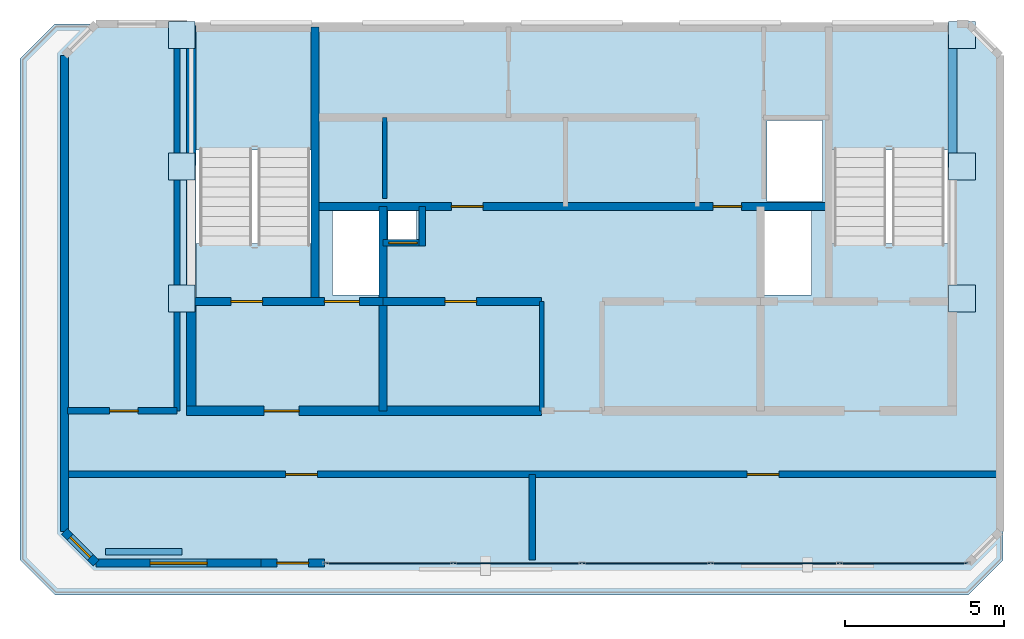
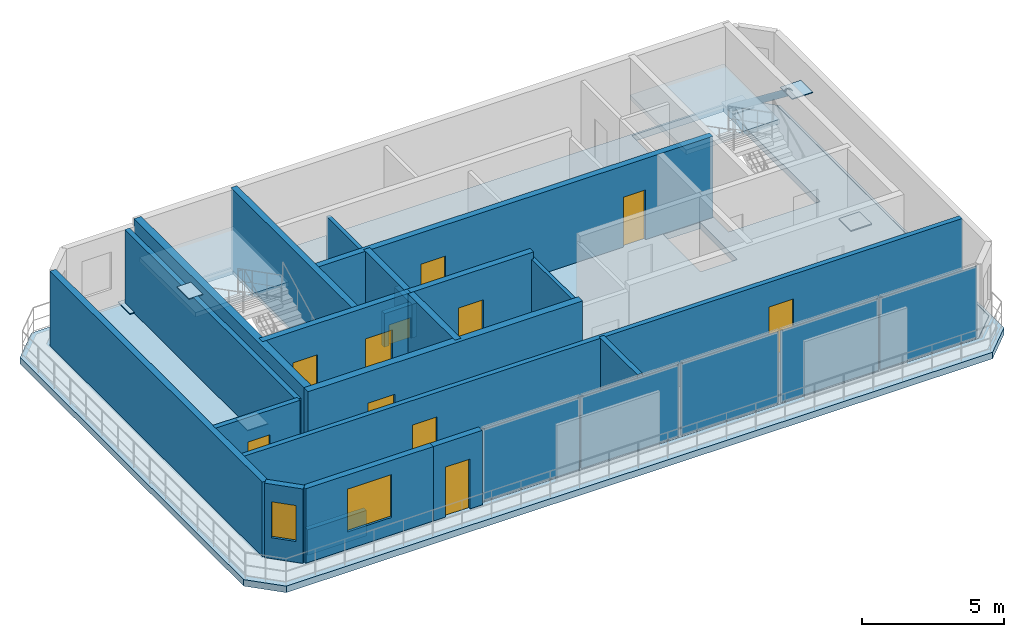
# One storey, part 4 of 6: 20 walls, 11 doors, 11 plates, 4 slabs, 2 windows, 1 member, 13 openings, 3 elements without a shape of their own.
"""IFC4 building model written with IfcOpenShell, lengths in metres."""

from ifc_helpers import new_model, si_unit, direction, frame, frame_2d, origin, origin_2d, place, context, subcontext, project, spatial, polyline, rectangle, hollow_circle, outline, extrude, material, layer, layer_set, material_profile, profile_set, type_object, element, fill, aggregate, save


model = new_model("IFC4")

# Units and contexts
model_context = context("Model", 3, precision=1e-05, world=origin(), true_north=direction((0.0, 1.0)))
body_context = subcontext(model_context, "Body", "Model", "MODEL_VIEW")
ifc_project = project(units=[si_unit("LENGTHUNIT", "METRE"), si_unit("AREAUNIT", "SQUARE_METRE"), si_unit("VOLUMEUNIT", "CUBIC_METRE"), si_unit("PLANEANGLEUNIT", "RADIAN"), si_unit("MASSUNIT", "GRAM", prefix="KILO")], contexts=[model_context])

# Site, building, storey
site_placement = place(None, origin())
site = spatial("IfcSite", under=ifc_project, at=site_placement, CompositionType="ELEMENT")
building_placement = place(site_placement, origin())
building = spatial("IfcBuilding", under=site, at=building_placement, Name="Catumbela Crestline Tower", CompositionType="ELEMENT")
storey_placement = place(building_placement, frame((0.0, 0.0, 304.5)))
storey = spatial("IfcBuildingStorey", under=building, at=storey_placement, Name="L78", CompositionType="ELEMENT", Elevation=304.5)

# Member
ifc_material_1 = material(Name="Structural steel S355J2", Category="steel")
ifc_material_profile = material_profile(ifc_material_1, hollow_circle(Radius=0.1365, WallThickness=0.016, at=origin_2d()), Name="CHS 273x16")
ifc_profile_set = profile_set([ifc_material_profile], Name="Structural steel S355J2")
member_type = type_object("IfcMemberType", Name="CB-273", PredefinedType="BRACE", material=ifc_profile_set)
member_placement = place(storey_placement, frame((40.0, 38.5, 3.21), z_axis=(0.0, 0.791914074685, -0.610632539516), x_axis=(-1.0, 0.0, 0.0)))
element("IfcMember", 1, at=member_placement, inside=storey, type_object=member_type, Name="L78 Crown Wind Frame Brace 4", PredefinedType="BRACE", context=body_context, shape_type="SweptSolid", body=[
    extrude(hollow_circle(Radius=0.1365, WallThickness=0.016, at=origin_2d()), origin(), (0.0, 0.0, 1.0), 5.2405),
])

# Plates
ifc_material_2 = material(Name="Structural steel S460M", Category="steel")
ifc_layer_1 = layer(ifc_material_2, 0.04, Name="Structural steel S460M")
ifc_layer_set_1 = layer_set([ifc_layer_1], Name="Structural steel S460M")
plate_type_1 = type_object("IfcPlateType", Name="GP-40", PredefinedType="USERDEFINED", material=ifc_layer_set_1)
for number, where, z_axis, x_axis, name in (
    (2, (15.7, 34.35, 0.01), (0.0, 0.0, 1.0), (1.0, 0.0, 0.0), "L78 Crown Wind Frame Gusset Plate 1A"),
    (3, (15.7, 38.5, 3.17), (0.0, 0.0, 1.0), (1.0, 0.0, 0.0), "L78 Crown Wind Frame Gusset Plate 1B"),
    (4, (15.7, 42.65, 0.01), (0.0, 0.0, 1.0), (1.0, 0.0, 0.0), "L78 Crown Wind Frame Gusset Plate 2B"),
    (5, (40.3, 34.35, 0.01), (0.0, 0.0, 1.0), (1.0, 0.0, 0.0), "L78 Crown Wind Frame Gusset Plate 3A"),
    (6, (40.3, 38.5, 3.17), (0.0, 0.0, 1.0), (1.0, 0.0, 0.0), "L78 Crown Wind Frame Gusset Plate 3B"),
    (7, (40.3, 42.65, 0.01), (0.0, 0.0, 1.0), (1.0, 0.0, 0.0), "L78 Crown Wind Frame Gusset Plate 4B"),
):
    element("IfcPlate", number, at=place(storey_placement, frame(where, z_axis=z_axis, x_axis=x_axis)), inside=storey, type_object=plate_type_1, Name=name, ObjectType="GUSSET", PredefinedType="USERDEFINED", context=body_context, shape_type="SweptSolid", body=[
        extrude(rectangle(XDim=0.85, YDim=0.85, at=origin_2d()), origin(), (0.0, 0.0, 1.0), 0.04),
    ])

# Curtain wall, plates
ifc_material_3 = material(Name="Aluminium alloy AW-6060-T66", Category="aluminium")
ifc_layer_2 = layer(ifc_material_3, 0.18, Name="Aluminium alloy AW-6060-T66")
ifc_layer_set_2 = layer_set([ifc_layer_2], Name="Aluminium alloy AW-6060-T66")
curtain_wall_type = type_object("IfcCurtainWallType", Name="CWS-OBS", PredefinedType="USERDEFINED", material=ifc_layer_set_2)
curtain_wall_placement = place(storey_placement, origin())
curtain_wall = element("IfcCurtainWall", 8, at=curtain_wall_placement, inside=storey, type_object=curtain_wall_type, Name="L78 Stick Curtain Wall CW-L78-E0S2", ObjectType="STICK", PredefinedType="USERDEFINED")
ifc_material_4 = material(Name="Low-E laminated solar-control double glazing", Category="glass")
ifc_layer_3 = layer(ifc_material_4, 0.036, Name="Low-E laminated solar-control double glazing")
ifc_layer_set_3 = layer_set([ifc_layer_3], Name="Low-E laminated solar-control double glazing")
plate_type_2 = type_object("IfcPlateType", Name="PNL-GLZ-OB", PredefinedType="CURTAIN_PANEL", material=ifc_layer_set_3)
plate_1_placement = place(storey_placement, frame((22.2462, 26.0, 0.06), z_axis=(0.0, 0.0, 1.0), x_axis=(1.0, 0.0, 0.0)))
plate_1 = element("IfcPlate", 9, at=plate_1_placement, type_object=plate_type_2, Name="CWS-OBS panel 1.1", PredefinedType="CURTAIN_PANEL", context=body_context, shape_type="SweptSolid", body=[
    extrude(rectangle(XDim=3.9625, YDim=0.034, at=origin_2d()), origin(), (0.0, 0.0, 1.0), 3.09),
])
plate_2_placement = place(storey_placement, frame((26.29, 26.0, 0.06), z_axis=(0.0, 0.0, 1.0), x_axis=(1.0, 0.0, 0.0)))
plate_2 = element("IfcPlate", 10, at=plate_2_placement, type_object=plate_type_2, Name="CWS-OBS panel 2.1", PredefinedType="CURTAIN_PANEL", context=body_context, shape_type="SweptSolid", body=[
    extrude(rectangle(XDim=3.995, YDim=0.034, at=origin_2d()), origin(), (0.0, 0.0, 1.0), 3.09),
])
plate_3_placement = place(storey_placement, frame((30.35, 26.0, 0.06), z_axis=(0.0, 0.0, 1.0), x_axis=(1.0, 0.0, 0.0)))
plate_3 = element("IfcPlate", 11, at=plate_3_placement, type_object=plate_type_2, Name="CWS-OBS panel 3.1", PredefinedType="CURTAIN_PANEL", context=body_context, shape_type="SweptSolid", body=[
    extrude(rectangle(XDim=3.995, YDim=0.034, at=origin_2d()), origin(), (0.0, 0.0, 1.0), 3.09),
])
plate_4_placement = place(storey_placement, frame((34.41, 26.0, 0.06), z_axis=(0.0, 0.0, 1.0), x_axis=(1.0, 0.0, 0.0)))
plate_4 = element("IfcPlate", 12, at=plate_4_placement, type_object=plate_type_2, Name="CWS-OBS panel 4.1", PredefinedType="CURTAIN_PANEL", context=body_context, shape_type="SweptSolid", body=[
    extrude(rectangle(XDim=3.995, YDim=0.034, at=origin_2d()), origin(), (0.0, 0.0, 1.0), 3.09),
])
plate_5_placement = place(storey_placement, frame((38.4538, 26.0, 0.06), z_axis=(0.0, 0.0, 1.0), x_axis=(1.0, 0.0, 0.0)))
plate_5 = element("IfcPlate", 13, at=plate_5_placement, type_object=plate_type_2, Name="CWS-OBS panel 5.1", PredefinedType="CURTAIN_PANEL", context=body_context, shape_type="SweptSolid", body=[
    extrude(rectangle(XDim=3.9625, YDim=0.034, at=origin_2d()), origin(), (0.0, 0.0, 1.0), 3.09),
])
aggregate(curtain_wall, [plate_1, plate_2, plate_3, plate_4, plate_5])

# Slabs
ifc_material_5 = material(Name="Concrete C45/55", Category="concrete")
ifc_layer_4 = layer(ifc_material_5, 0.28, Name="Concrete C45/55")
ifc_layer_set_4 = layer_set([ifc_layer_4], Name="Concrete C45/55")
slab_type_1 = type_object("IfcSlabType", Name="SL-280C", PredefinedType="FLOOR", material=ifc_layer_set_4)
slab_1_placement = place(storey_placement, frame((0.0, 0.0, -0.28)))
element("IfcSlab", 14, at=slab_1_placement, inside=storey, type_object=slab_type_1, Name="L78 Structural Floor Slab", PredefinedType="FLOOR", context=body_context, shape_type="SweptSolid", body=[
    extrude(outline(polyline([(13.0, 26.0), (40.5, 26.0), (41.5, 27.0), (41.5, 42.0), (40.5, 43.0), (13.0, 43.0), (12.0, 42.0), (12.0, 27.0), (13.0, 26.0)]), holes=[polyline([(16.13, 36.08), (19.87, 36.08), (19.87, 42.92), (16.13, 42.92), (16.13, 36.08)]), polyline([(36.13, 36.08), (39.87, 36.08), (39.87, 42.92), (36.13, 42.92), (36.13, 36.08)]), polyline([(20.45, 34.45), (21.95, 34.45), (21.95, 37.1), (20.45, 37.1), (20.45, 34.45)]), polyline([(34.05, 34.45), (35.55, 34.45), (35.55, 37.1), (34.05, 37.1), (34.05, 34.45)]), polyline([(34.15, 37.4), (35.9, 37.4), (35.9, 39.95), (34.15, 39.95), (34.15, 37.4)]), polyline([(22.2, 36.2), (23.1, 36.2), (23.1, 37.1), (22.2, 37.1), (22.2, 36.2)])]), origin(), (0.0, 0.0, 1.0), 0.28),
])
ifc_layer_5 = layer(ifc_material_5, 0.28, Name="Concrete C45/55")
ifc_layer_set_5 = layer_set([ifc_layer_5], Name="Concrete C45/55")
slab_type_2 = type_object("IfcSlabType", Name="SR-280C", PredefinedType="ROOF", material=ifc_layer_set_5)
slab_2_placement = place(storey_placement, frame((0.0, 0.0, -0.28)))
element("IfcSlab", 15, at=slab_2_placement, inside=storey, type_object=slab_type_2, Name="L78 Stepped Terrace Cap Roof Slab 1", PredefinedType="ROOF", context=body_context, shape_type="SweptSolid", body=[
    extrude(outline(polyline([(41.6, 26.1), (40.5, 25.0), (11.7, 25.0), (10.6, 26.1), (10.6, 41.9), (11.7, 43.0), (12.9859, 43.0), (11.99, 42.0041), (11.99, 26.9959), (12.9959, 25.99), (40.5041, 25.99), (41.51, 26.9959), (41.51, 41.99), (41.6, 41.9), (41.6, 26.1)])), origin(), (0.0, 0.0, 1.0), 0.28),
])

# Stair, slab
stair_type = type_object("IfcStairType", Name="ST-DLG", PredefinedType="HALF_TURN_STAIR", material=ifc_material_5)
stair_1_placement = place(storey_placement, origin())
stair_1 = element("IfcStair", 16, at=stair_1_placement, inside=storey, type_object=stair_type, Name="L78 West Core Pressurised Exit Stair ST-01", PredefinedType="HALF_TURN_STAIR")
ifc_layer_6 = layer(ifc_material_5, 0.2, Name="Concrete C45/55")
ifc_layer_set_6 = layer_set([ifc_layer_6], Name="Concrete C45/55")
slab_type_3 = type_object("IfcSlabType", Name="SL-LND", PredefinedType="LANDING", material=ifc_layer_set_6)
slab_3_placement = place(storey_placement, frame((0.0, 0.0, 1.55)))
slab_3 = element("IfcSlab", 17, at=slab_3_placement, type_object=slab_type_3, Name="ST-01 landing 1", PredefinedType="LANDING", context=body_context, shape_type="SweptSolid", body=[
    extrude(outline(polyline([(19.91, 39.02), (19.91, 42.96), (16.09, 42.96), (16.09, 39.02), (19.91, 39.02)])), origin(), (0.0, 0.0, 1.0), 0.2),
])
aggregate(stair_1, [slab_3])

stair_2_placement = place(storey_placement, origin())
stair_2 = element("IfcStair", 18, at=stair_2_placement, inside=storey, type_object=stair_type, Name="L78 East Core Pressurised Exit Stair ST-02", PredefinedType="HALF_TURN_STAIR")
slab_4_placement = place(storey_placement, frame((0.0, 0.0, 1.55)))
slab_4 = element("IfcSlab", 19, at=slab_4_placement, type_object=slab_type_3, Name="ST-02 landing 1", PredefinedType="LANDING", context=body_context, shape_type="SweptSolid", body=[
    extrude(outline(polyline([(39.91, 39.02), (39.91, 42.96), (36.09, 42.96), (36.09, 39.02), (39.91, 39.02)])), origin(), (0.0, 0.0, 1.0), 0.2),
])
aggregate(stair_2, [slab_4])

# Walls
ifc_material_6 = material(Name="Concrete C50/60", Category="concrete")
ifc_layer_7 = layer(ifc_material_6, 0.25, Name="Concrete C50/60")
ifc_layer_set_7 = layer_set([ifc_layer_7], Name="Concrete C50/60")
wall_type_1 = type_object("IfcWallType", Name="CW-250D", PredefinedType="SHEAR", material=ifc_layer_set_7)
wall_1_placement = place(storey_placement, frame((19.9, 34.25, 0.0), z_axis=(0.0, 0.0, 1.0), x_axis=(0.0, 1.0, 0.0)))
element("IfcWall", 20, at=wall_1_placement, inside=storey, type_object=wall_type_1, Name="L78 Structural Core Shear Wall WWEB", PredefinedType="SHEAR", context=body_context, shape_type="SweptSolid", body=[
    extrude(rectangle(XDim=8.65, YDim=0.25, at=frame_2d((4.325, 0.0))), origin(), (0.0, 0.0, 1.0), 3.5),
])
wall_2_placement = place(storey_placement, frame((22.05, 30.8, 0.0), z_axis=(0.0, 0.0, 1.0), x_axis=(0.0, 1.0, 0.0)))
element("IfcWall", 21, at=wall_2_placement, inside=storey, type_object=wall_type_1, Name="L78 Structural Core Shear Wall FFW", PredefinedType="SHEAR", context=body_context, shape_type="SweptSolid", body=[
    extrude(rectangle(XDim=6.45, YDim=0.25, at=frame_2d((3.225, 0.0))), origin(), (0.0, 0.0, 1.0), 3.5),
])

# Wall, openings, doors
wall_3_placement = place(storey_placement, frame((16.0, 34.25, 0.0), z_axis=(0.0, 0.0, 1.0), x_axis=(1.0, 0.0, 0.0)))
wall_3 = element("IfcWall", 22, at=wall_3_placement, inside=storey, type_object=wall_type_1, Name="L78 Structural Core Shear Wall ST1S", PredefinedType="SHEAR", context=body_context, shape_type="SweptSolid", body=[
    extrude(rectangle(XDim=6.05, YDim=0.25, at=frame_2d((3.025, 0.0))), origin(), (0.0, 0.0, 1.0), 3.5),
])
opening_1_placement = place(wall_3_placement, frame((1.25, 0.0, 0.0)))
opening_1 = element("IfcOpeningElement", 23, at=opening_1_placement, cuts=wall_3, Name="Opening DF9-100", PredefinedType="OPENING", context=body_context, shape_type="SweptSolid", body=[
    extrude(rectangle(XDim=1.0, YDim=2.15, at=frame_2d((0.5, 1.075))), frame((0.0, 0.135, 0.0), z_axis=(0.0, -1.0, 0.0), x_axis=(1.0, 0.0, 0.0)), (0.0, 0.0, 1.0), 0.27),
])
opening_2_placement = place(wall_3_placement, frame((4.2, 0.0, 0.0)))
opening_2 = element("IfcOpeningElement", 24, at=opening_2_placement, cuts=wall_3, Name="Opening LD-110", PredefinedType="OPENING", context=body_context, shape_type="SweptSolid", body=[
    extrude(rectangle(XDim=1.1, YDim=2.15, at=frame_2d((0.55, 1.075))), frame((0.0, 0.135, 0.0), z_axis=(0.0, -1.0, 0.0), x_axis=(1.0, 0.0, 0.0)), (0.0, 0.0, 1.0), 0.27),
])
ifc_material_7 = material(Name="Stainless steel EN 1.4401", Category="steel")
door_type_1 = type_object("IfcDoorType", Name="DF9-100", OperationType="NOTDEFINED", PredefinedType="DOOR", material=ifc_material_7)
door_1_placement = place(opening_1_placement, origin())
door_1 = element("IfcDoor", 25, at=door_1_placement, inside=storey, type_object=door_type_1, Name="L78 Interior Door DR-L78-ST01", OperationType="SINGLE_SWING_LEFT", OverallHeight=2.15, OverallWidth=1.0, PredefinedType="DOOR", context=body_context, shape_type="SweptSolid", body=[
    extrude(rectangle(XDim=1.0, YDim=2.15, at=frame_2d((0.5, 1.075))), frame((0.0, 0.025, 0.0), z_axis=(0.0, -1.0, 0.0), x_axis=(1.0, 0.0, 0.0)), (0.0, 0.0, 1.0), 0.05),
])
fill(opening_1, door_1)
door_type_2 = type_object("IfcDoorType", Name="LD-110", OperationType="NOTDEFINED", PredefinedType="DOOR", material=ifc_material_7)
door_2_placement = place(opening_2_placement, origin())
door_2 = element("IfcDoor", 26, at=door_2_placement, inside=storey, type_object=door_type_2, Name="L78 Lift Landing Sliding Door FL-01", OperationType="DOUBLE_DOOR_SLIDING", OverallHeight=2.15, OverallWidth=1.1, PredefinedType="DOOR", context=body_context, shape_type="SweptSolid", body=[
    extrude(rectangle(XDim=1.1, YDim=2.15, at=frame_2d((0.55, 1.075))), frame((0.0, 0.025, 0.0), z_axis=(0.0, -1.0, 0.0), x_axis=(1.0, 0.0, 0.0)), (0.0, 0.0, 1.0), 0.05),
])
fill(opening_2, door_2)

# Wall, opening, door
wall_4_placement = place(storey_placement, frame((22.05, 34.25, 0.0), z_axis=(0.0, 0.0, 1.0), x_axis=(1.0, 0.0, 0.0)))
wall_4 = element("IfcWall", 27, at=wall_4_placement, inside=storey, type_object=wall_type_1, Name="L78 Structural Core Shear Wall LIFTS-W", PredefinedType="SHEAR", context=body_context, shape_type="SweptSolid", body=[
    extrude(rectangle(XDim=5.0, YDim=0.25, at=frame_2d((2.5, 0.0))), origin(), (0.0, 0.0, 1.0), 3.5),
])
opening_3_placement = place(wall_4_placement, frame((1.95, 0.0, 0.0)))
opening_3 = element("IfcOpeningElement", 28, at=opening_3_placement, cuts=wall_4, Name="Opening DF9-100", PredefinedType="OPENING", context=body_context, shape_type="SweptSolid", body=[
    extrude(rectangle(XDim=1.0, YDim=2.15, at=frame_2d((0.5, 1.075))), frame((0.0, 0.135, 0.0), z_axis=(0.0, -1.0, 0.0), x_axis=(1.0, 0.0, 0.0)), (0.0, 0.0, 1.0), 0.27),
])
door_3_placement = place(opening_3_placement, origin())
door_3 = element("IfcDoor", 29, at=door_3_placement, inside=storey, type_object=door_type_1, Name="L78 Interior Door DR-L78-RECL1", OperationType="SINGLE_SWING_LEFT", OverallHeight=2.15, OverallWidth=1.0, PredefinedType="DOOR", context=body_context, shape_type="SweptSolid", body=[
    extrude(rectangle(XDim=1.0, YDim=2.15, at=frame_2d((0.5, 1.075))), frame((0.0, 0.025, 0.0), z_axis=(0.0, -1.0, 0.0), x_axis=(1.0, 0.0, 0.0)), (0.0, 0.0, 1.0), 0.05),
])
fill(opening_3, door_3)

# Wall, openings, doors
wall_5_placement = place(storey_placement, frame((19.9, 37.25, 0.0), z_axis=(0.0, 0.0, 1.0), x_axis=(1.0, 0.0, 0.0)))
wall_5 = element("IfcWall", 30, at=wall_5_placement, inside=storey, type_object=wall_type_1, Name="L78 Structural Core Shear Wall LIFTN", PredefinedType="SHEAR", context=body_context, shape_type="SweptSolid", body=[
    extrude(rectangle(XDim=16.2, YDim=0.25, at=frame_2d((8.1, 0.0))), origin(), (0.0, 0.0, 1.0), 3.5),
])
opening_4_placement = place(wall_5_placement, frame((4.3, 0.0, 0.0)))
opening_4 = element("IfcOpeningElement", 31, at=opening_4_placement, cuts=wall_5, Name="Opening DF9-100", PredefinedType="OPENING", context=body_context, shape_type="SweptSolid", body=[
    extrude(rectangle(XDim=1.0, YDim=2.15, at=frame_2d((0.5, 1.075))), frame((0.0, 0.135, 0.0), z_axis=(0.0, -1.0, 0.0), x_axis=(1.0, 0.0, 0.0)), (0.0, 0.0, 1.0), 0.27),
])
opening_5_placement = place(wall_5_placement, frame((12.55, 0.0, 0.0)))
opening_5 = element("IfcOpeningElement", 32, at=opening_5_placement, cuts=wall_5, Name="Opening DF9-090", PredefinedType="OPENING", context=body_context, shape_type="SweptSolid", body=[
    extrude(rectangle(XDim=0.9, YDim=2.15, at=frame_2d((0.45, 1.075))), frame((0.0, 0.135, 0.0), z_axis=(0.0, -1.0, 0.0), x_axis=(1.0, 0.0, 0.0)), (0.0, 0.0, 1.0), 0.27),
])
door_type_3 = type_object("IfcDoorType", Name="DF9-090", OperationType="NOTDEFINED", PredefinedType="DOOR", material=ifc_material_7)
door_4_placement = place(opening_5_placement, origin())
door_4 = element("IfcDoor", 33, at=door_4_placement, inside=storey, type_object=door_type_3, Name="L78 Interior Door DR-L78-CPAS1", OperationType="SINGLE_SWING_LEFT", OverallHeight=2.15, OverallWidth=0.9, PredefinedType="DOOR", context=body_context, shape_type="SweptSolid", body=[
    extrude(rectangle(XDim=0.9, YDim=2.15, at=frame_2d((0.45, 1.075))), frame((0.0, 0.025, 0.0), z_axis=(0.0, -1.0, 0.0), x_axis=(1.0, 0.0, 0.0)), (0.0, 0.0, 1.0), 0.05),
])
fill(opening_5, door_4)
door_5_placement = place(opening_4_placement, origin())
door_5 = element("IfcDoor", 34, at=door_5_placement, inside=storey, type_object=door_type_1, Name="L78 Interior Door DR-L78-RECL3", OperationType="SINGLE_SWING_LEFT", OverallHeight=2.15, OverallWidth=1.0, PredefinedType="DOOR", context=body_context, shape_type="SweptSolid", body=[
    extrude(rectangle(XDim=1.0, YDim=2.15, at=frame_2d((0.5, 1.075))), frame((0.0, 0.025, 0.0), z_axis=(0.0, -1.0, 0.0), x_axis=(1.0, 0.0, 0.0)), (0.0, 0.0, 1.0), 0.05),
])
fill(opening_4, door_5)

# Wall
ifc_layer_8 = layer(ifc_material_5, 0.3, Name="Concrete C45/55")
ifc_layer_set_8 = layer_set([ifc_layer_8], Name="Concrete C45/55")
wall_type_2 = type_object("IfcWallType", Name="CW-300C", PredefinedType="SHEAR", material=ifc_layer_set_8)
wall_6_placement = place(storey_placement, frame((16.0, 30.65, 0.0), z_axis=(0.0, 0.0, 1.0), x_axis=(0.0, 1.0, 0.0)))
element("IfcWall", 35, at=wall_6_placement, inside=storey, type_object=wall_type_2, Name="L78 Structural Core Shear Wall W", PredefinedType="SHEAR", context=body_context, shape_type="SweptSolid", body=[
    extrude(rectangle(XDim=12.3, YDim=0.3, at=frame_2d((6.15, 0.0))), origin(), (0.0, 0.0, 1.0), 3.5),
])

# Wall, opening, door
wall_7_placement = place(storey_placement, frame((15.85, 30.8, 0.0), z_axis=(0.0, 0.0, 1.0), x_axis=(1.0, 0.0, 0.0)))
wall_7 = element("IfcWall", 36, at=wall_7_placement, inside=storey, type_object=wall_type_2, Name="L78 Structural Core Shear Wall SW", PredefinedType="SHEAR", context=body_context, shape_type="SweptSolid", body=[
    extrude(rectangle(XDim=11.2, YDim=0.3, at=frame_2d((5.6, 0.0))), origin(), (0.0, 0.0, 1.0), 3.5),
])
opening_6_placement = place(wall_7_placement, frame((2.45, 0.0, 0.0)))
opening_6 = element("IfcOpeningElement", 37, at=opening_6_placement, cuts=wall_7, Name="Opening DF9-110", PredefinedType="OPENING", context=body_context, shape_type="SweptSolid", body=[
    extrude(rectangle(XDim=1.1, YDim=2.15, at=frame_2d((0.55, 1.075))), frame((0.0, 0.16, 0.0), z_axis=(0.0, -1.0, 0.0), x_axis=(1.0, 0.0, 0.0)), (0.0, 0.0, 1.0), 0.32),
])
door_type_4 = type_object("IfcDoorType", Name="DF9-110", OperationType="NOTDEFINED", PredefinedType="DOOR", material=ifc_material_7)
door_6_placement = place(opening_6_placement, origin())
door_6 = element("IfcDoor", 38, at=door_6_placement, inside=storey, type_object=door_type_4, Name="L78 Interior Door DR-L78-FFW-S", OperationType="SINGLE_SWING_LEFT", OverallHeight=2.15, OverallWidth=1.1, PredefinedType="DOOR", context=body_context, shape_type="SweptSolid", body=[
    extrude(rectangle(XDim=1.1, YDim=2.15, at=frame_2d((0.55, 1.075))), frame((0.0, 0.025, 0.0), z_axis=(0.0, -1.0, 0.0), x_axis=(1.0, 0.0, 0.0)), (0.0, 0.0, 1.0), 0.05),
])
fill(opening_6, door_6)

# Wall, openings, doors
ifc_material_8 = material(Name="Acoustic gypsum and mineral-wool partition")
ifc_layer_9 = layer(ifc_material_8, 0.2, Name="Acoustic gypsum and mineral-wool partition")
ifc_layer_set_9 = layer_set([ifc_layer_9], Name="Acoustic gypsum and mineral-wool partition")
wall_type_3 = type_object("IfcWallType", Name="WC-200", PredefinedType="PARTITIONING", material=ifc_layer_set_9)
wall_8_placement = place(storey_placement, frame((12.1, 28.8, 0.0), z_axis=(0.0, 0.0, 1.0), x_axis=(1.0, 0.0, 0.0)))
wall_8 = element("IfcWall", 39, at=wall_8_placement, inside=storey, type_object=wall_type_3, Name="L78 Interior Partition PW-L78-CRP1", PredefinedType="PARTITIONING", context=body_context, shape_type="SweptSolid", body=[
    extrude(rectangle(XDim=29.3, YDim=0.2, at=frame_2d((14.65, 0.0))), origin(), (0.0, 0.0, 1.0), 3.21),
])
opening_7_placement = place(wall_8_placement, frame((6.875, 0.0, 0.0)))
opening_7 = element("IfcOpeningElement", 40, at=opening_7_placement, cuts=wall_8, Name="Opening DF9-100", PredefinedType="OPENING", context=body_context, shape_type="SweptSolid", body=[
    extrude(rectangle(XDim=1.0, YDim=2.15, at=frame_2d((0.5, 1.075))), frame((0.0, 0.11, 0.0), z_axis=(0.0, -1.0, 0.0), x_axis=(1.0, 0.0, 0.0)), (0.0, 0.0, 1.0), 0.22),
])
opening_8_placement = place(wall_8_placement, frame((21.425, 0.0, 0.0)))
opening_8 = element("IfcOpeningElement", 41, at=opening_8_placement, cuts=wall_8, Name="Opening DF9-100", PredefinedType="OPENING", context=body_context, shape_type="SweptSolid", body=[
    extrude(rectangle(XDim=1.0, YDim=2.15, at=frame_2d((0.5, 1.075))), frame((0.0, 0.11, 0.0), z_axis=(0.0, -1.0, 0.0), x_axis=(1.0, 0.0, 0.0)), (0.0, 0.0, 1.0), 0.22),
])
door_7_placement = place(opening_7_placement, origin())
door_7 = element("IfcDoor", 42, at=door_7_placement, inside=storey, type_object=door_type_1, Name="L78 Interior Door DR-L78-CRP1", OperationType="SINGLE_SWING_LEFT", OverallHeight=2.15, OverallWidth=1.0, PredefinedType="DOOR", context=body_context, shape_type="SweptSolid", body=[
    extrude(rectangle(XDim=1.0, YDim=2.15, at=frame_2d((0.5, 1.075))), frame((0.0, 0.025, 0.0), z_axis=(0.0, -1.0, 0.0), x_axis=(1.0, 0.0, 0.0)), (0.0, 0.0, 1.0), 0.05),
])
fill(opening_7, door_7)
door_8_placement = place(opening_8_placement, origin())
door_8 = element("IfcDoor", 43, at=door_8_placement, inside=storey, type_object=door_type_1, Name="L78 Interior Door DR-L78-CRP2", OperationType="SINGLE_SWING_RIGHT", OverallHeight=2.15, OverallWidth=1.0, PredefinedType="DOOR", context=body_context, shape_type="SweptSolid", body=[
    extrude(rectangle(XDim=1.0, YDim=2.15, at=frame_2d((0.5, 1.075))), frame((0.0, 0.025, 0.0), z_axis=(0.0, -1.0, 0.0), x_axis=(1.0, 0.0, 0.0)), (0.0, 0.0, 1.0), 0.05),
])
fill(opening_8, door_8)

# Walls
wall_9_placement = place(storey_placement, frame((26.75, 26.1, 0.0), z_axis=(0.0, 0.0, 1.0), x_axis=(0.0, 1.0, 0.0)))
element("IfcWall", 44, at=wall_9_placement, inside=storey, type_object=wall_type_3, Name="L78 Interior Partition PW-L78-CRPM", PredefinedType="PARTITIONING", context=body_context, shape_type="SweptSolid", body=[
    extrude(rectangle(XDim=2.7, YDim=0.2, at=frame_2d((1.35, 0.0))), origin(), (0.0, 0.0, 1.0), 3.21),
])
wall_10_placement = place(storey_placement, frame((15.55, 30.8, 0.0), z_axis=(0.0, 0.0, 1.0), x_axis=(0.0, 1.0, 0.0)))
element("IfcWall", 45, at=wall_10_placement, inside=storey, type_object=wall_type_3, Name="L78 Interior Partition PW-L78-CRNE", PredefinedType="PARTITIONING", context=body_context, shape_type="SweptSolid", body=[
    extrude(rectangle(XDim=12.1, YDim=0.2, at=frame_2d((6.05, 0.0))), origin(), (0.0, 0.0, 1.0), 3.21),
])

# Wall, opening, door
wall_11_placement = place(storey_placement, frame((12.1, 30.8, 0.0), z_axis=(0.0, 0.0, 1.0), x_axis=(1.0, 0.0, 0.0)))
wall_11 = element("IfcWall", 46, at=wall_11_placement, inside=storey, type_object=wall_type_3, Name="L78 Interior Partition PW-L78-CRNW", PredefinedType="PARTITIONING", context=body_context, shape_type="SweptSolid", body=[
    extrude(rectangle(XDim=3.45, YDim=0.2, at=frame_2d((1.725, 0.0))), origin(), (0.0, 0.0, 1.0), 3.21),
])
opening_9_placement = place(wall_11_placement, frame((1.325, 0.0, 0.0)))
opening_9 = element("IfcOpeningElement", 47, at=opening_9_placement, cuts=wall_11, Name="Opening DF9-090", PredefinedType="OPENING", context=body_context, shape_type="SweptSolid", body=[
    extrude(rectangle(XDim=0.9, YDim=2.15, at=frame_2d((0.45, 1.075))), frame((0.0, 0.11, 0.0), z_axis=(0.0, -1.0, 0.0), x_axis=(1.0, 0.0, 0.0)), (0.0, 0.0, 1.0), 0.22),
])
door_9_placement = place(opening_9_placement, origin())
door_9 = element("IfcDoor", 48, at=door_9_placement, inside=storey, type_object=door_type_3, Name="L78 Interior Door DR-L78-CRNW", OperationType="SINGLE_SWING_LEFT", OverallHeight=2.15, OverallWidth=0.9, PredefinedType="DOOR", context=body_context, shape_type="SweptSolid", body=[
    extrude(rectangle(XDim=0.9, YDim=2.15, at=frame_2d((0.45, 1.075))), frame((0.0, 0.025, 0.0), z_axis=(0.0, -1.0, 0.0), x_axis=(1.0, 0.0, 0.0)), (0.0, 0.0, 1.0), 0.05),
])
fill(opening_9, door_9)

ifc_material_9 = material(Name="Angolan grey-ochre granite", Category="masonry")
ifc_layer_10 = layer(ifc_material_9, 0.25, Name="Angolan grey-ochre granite")
ifc_layer_set_10 = layer_set([ifc_layer_10], Name="Angolan grey-ochre granite")
wall_type_4 = type_object("IfcWallType", Name="WE-250", PredefinedType="STANDARD", material=ifc_layer_set_10)
wall_12_placement = place(storey_placement, frame((18.2, 26.0, 0.0), z_axis=(0.0, 0.0, 1.0), x_axis=(1.0, 0.0, 0.0)))
wall_12 = element("IfcWall", 49, at=wall_12_placement, inside=storey, type_object=wall_type_4, Name="L78 Exterior Threshold Portal Wall DR-L78-STEP-S1", PredefinedType="STANDARD", context=body_context, shape_type="SweptSolid", body=[
    extrude(rectangle(XDim=2.0, YDim=0.25, at=frame_2d((1.0, 0.0))), origin(), (0.0, 0.0, 1.0), 3.21),
])
opening_10_placement = place(wall_12_placement, frame((0.5, 0.0, 0.0)))
opening_10 = element("IfcOpeningElement", 50, at=opening_10_placement, cuts=wall_12, Name="Opening DT-L78", PredefinedType="OPENING", context=body_context, shape_type="SweptSolid", body=[
    extrude(rectangle(XDim=1.0, YDim=2.15, at=frame_2d((0.5, 1.075))), frame((0.0, 0.135, 0.0), z_axis=(0.0, -1.0, 0.0), x_axis=(1.0, 0.0, 0.0)), (0.0, 0.0, 1.0), 0.27),
])
door_type_5 = type_object("IfcDoorType", Name="DB-1000", OperationType="NOTDEFINED", PredefinedType="DOOR", material=ifc_material_3)
door_10_placement = place(opening_10_placement, origin())
door_10 = element("IfcDoor", 51, at=door_10_placement, inside=storey, type_object=door_type_5, Name="L78 Stepped Terrace Access Door", OperationType="SINGLE_SWING_LEFT", OverallHeight=2.15, OverallWidth=1.0, PredefinedType="DOOR", context=body_context, shape_type="SweptSolid", body=[
    extrude(rectangle(XDim=1.0, YDim=2.15, at=frame_2d((0.5, 1.075))), frame((0.0, 0.025, 0.0), z_axis=(0.0, -1.0, 0.0), x_axis=(1.0, 0.0, 0.0)), (0.0, 0.0, 1.0), 0.05),
])
fill(opening_10, door_10)

# Wall, opening, window
wall_13_placement = place(storey_placement, frame((13.0, 26.0, 0.0), z_axis=(0.0, 0.0, 1.0), x_axis=(1.0, 0.0, 0.0)))
wall_13 = element("IfcWall", 52, at=wall_13_placement, inside=storey, type_object=wall_type_4, Name="L78 Granite Punched Window Wall 0-1", PredefinedType="STANDARD", context=body_context, shape_type="SweptSolid", body=[
    extrude(rectangle(XDim=5.2, YDim=0.25, at=frame_2d((2.6, 0.0))), origin(), (0.0, 0.0, 1.0), 3.21),
])
opening_11_placement = place(wall_13_placement, frame((1.7, 0.0, 0.75)))
opening_11 = element("IfcOpeningElement", 53, at=opening_11_placement, cuts=wall_13, Name="Opening WN-01", PredefinedType="OPENING", context=body_context, shape_type="SweptSolid", body=[
    extrude(rectangle(XDim=1.8, YDim=1.85, at=frame_2d((0.9, 0.925))), frame((0.0, 0.135, 0.0), z_axis=(0.0, -1.0, 0.0), x_axis=(1.0, 0.0, 0.0)), (0.0, 0.0, 1.0), 0.27),
])
window_type_1 = type_object("IfcWindowType", Name="WF-1800", PartitioningType="SINGLE_PANEL", PredefinedType="WINDOW", material=ifc_material_4)
window_1_placement = place(opening_11_placement, origin())
window_1 = element("IfcWindow", 54, at=window_1_placement, inside=storey, type_object=window_type_1, Name="L78 Facade Vision Window 635", OverallHeight=1.85, OverallWidth=1.8, PartitioningType="SINGLE_PANEL", PredefinedType="WINDOW", context=body_context, shape_type="SweptSolid", body=[
    extrude(rectangle(XDim=1.8, YDim=1.85, at=frame_2d((0.9, 0.925))), frame((0.0, 0.03, 0.0), z_axis=(0.0, -1.0, 0.0), x_axis=(1.0, 0.0, 0.0)), (0.0, 0.0, 1.0), 0.06),
])
fill(opening_11, window_1)

# Wall
wall_14_placement = place(storey_placement, frame((12.0, 42.0, 0.0), z_axis=(0.0, 0.0, 1.0), x_axis=(0.0, -1.0, 0.0)))
element("IfcWall", 55, at=wall_14_placement, inside=storey, type_object=wall_type_4, Name="L78 Granite Punched Window Wall 6-1", PredefinedType="STANDARD", context=body_context, shape_type="SweptSolid", body=[
    extrude(rectangle(XDim=15.0, YDim=0.25, at=frame_2d((7.5, 0.0))), origin(), (0.0, 0.0, 1.0), 3.21),
])

# Wall, opening, window
wall_15_placement = place(storey_placement, frame((12.0, 27.0, 0.0), z_axis=(0.0, 0.0, 1.0), x_axis=(0.707106781187, -0.707106781187, 0.0)))
wall_15 = element("IfcWall", 56, at=wall_15_placement, inside=storey, type_object=wall_type_4, Name="L78 Granite Punched Window Wall 7-1", PredefinedType="STANDARD", context=body_context, shape_type="SweptSolid", body=[
    extrude(rectangle(XDim=1.4142, YDim=0.25, at=frame_2d((0.7071, 0.0))), origin(), (0.0, 0.0, 1.0), 3.21),
])
opening_12_placement = place(wall_15_placement, frame((0.2571, 0.0, 0.9)))
opening_12 = element("IfcOpeningElement", 57, at=opening_12_placement, cuts=wall_15, Name="Opening WN-03", PredefinedType="OPENING", context=body_context, shape_type="SweptSolid", body=[
    extrude(rectangle(XDim=0.9, YDim=1.55, at=frame_2d((0.45, 0.775))), frame((0.0, 0.135, 0.0), z_axis=(0.0, -1.0, 0.0), x_axis=(1.0, 0.0, 0.0)), (0.0, 0.0, 1.0), 0.27),
])
window_type_2 = type_object("IfcWindowType", Name="WO-0900", PartitioningType="SINGLE_PANEL", PredefinedType="WINDOW", material=ifc_material_4)
window_2_placement = place(opening_12_placement, origin())
window_2 = element("IfcWindow", 58, at=window_2_placement, inside=storey, type_object=window_type_2, Name="L78 Facade Vision Window 640", OverallHeight=1.55, OverallWidth=0.9, PartitioningType="SINGLE_PANEL", PredefinedType="WINDOW", context=body_context, shape_type="SweptSolid", body=[
    extrude(rectangle(XDim=0.9, YDim=1.55, at=frame_2d((0.45, 0.775))), frame((0.0, 0.03, 0.0), z_axis=(0.0, -1.0, 0.0), x_axis=(1.0, 0.0, 0.0)), (0.0, 0.0, 1.0), 0.06),
])
fill(opening_12, window_2)

# Wall, opening, door
ifc_material_10 = material(Name="Concrete C40/50", Category="concrete")
ifc_layer_11 = layer(ifc_material_10, 0.2, Name="Concrete C40/50")
ifc_layer_set_11 = layer_set([ifc_layer_11], Name="Concrete C40/50")
wall_type_5 = type_object("IfcWallType", Name="WK-200", PredefinedType="PARAPET", material=ifc_layer_set_11)
wall_16_placement = place(storey_placement, frame((22.05, 36.1, 0.0), z_axis=(0.0, 0.0, 1.0), x_axis=(1.0, 0.0, 0.0)))
wall_16 = element("IfcWall", 59, at=wall_16_placement, inside=storey, type_object=wall_type_5, Name="L78 Overrun Maintenance Access Bulkhead", PredefinedType="PARAPET", context=body_context, shape_type="SweptSolid", body=[
    extrude(rectangle(XDim=1.33, YDim=0.2, at=frame_2d((0.665, 0.0))), origin(), (0.0, 0.0, 1.0), 1.45),
])
opening_13_placement = place(wall_16_placement, frame((0.18, 0.0, 0.0)))
opening_13 = element("IfcOpeningElement", 60, at=opening_13_placement, cuts=wall_16, Name="Opening DH-02", PredefinedType="OPENING", context=body_context, shape_type="SweptSolid", body=[
    extrude(rectangle(XDim=0.9, YDim=0.9, at=frame_2d((0.45, 0.45))), frame((0.0, 0.11, 0.0), z_axis=(0.0, -1.0, 0.0), x_axis=(1.0, 0.0, 0.0)), (0.0, 0.0, 1.0), 0.22),
])
door_type_6 = type_object("IfcDoorType", Name="DH-0900", OperationType="NOTDEFINED", PredefinedType="TRAPDOOR", material=ifc_material_7)
door_11_placement = place(opening_13_placement, origin())
door_11 = element("IfcDoor", 61, at=door_11_placement, inside=storey, type_object=door_type_6, Name="L78 Maintenance Access Trapdoor 2", OperationType="SINGLE_SWING_LEFT", OverallHeight=0.9, OverallWidth=0.9, PredefinedType="TRAPDOOR", context=body_context, shape_type="SweptSolid", body=[
    extrude(rectangle(XDim=0.9, YDim=0.9, at=frame_2d((0.45, 0.45))), frame((0.0, 0.025, 0.0), z_axis=(0.0, -1.0, 0.0), x_axis=(1.0, 0.0, 0.0)), (0.0, 0.0, 1.0), 0.05),
])
fill(opening_13, door_11)

# Walls
wall_17_placement = place(storey_placement, frame((23.28, 36.0, 0.0), z_axis=(0.0, 0.0, 1.0), x_axis=(0.0, 1.0, 0.0)))
element("IfcWall", 62, at=wall_17_placement, inside=storey, type_object=wall_type_5, Name="L78 Overrun Maintenance Access East Kerb", PredefinedType="PARAPET", context=body_context, shape_type="SweptSolid", body=[
    extrude(rectangle(XDim=1.25, YDim=0.2, at=frame_2d((0.625, 0.0))), origin(), (0.0, 0.0, 1.0), 1.45),
])
ifc_layer_12 = layer(ifc_material_10, 0.2, Name="Concrete C40/50")
ifc_layer_set_12 = layer_set([ifc_layer_12], Name="Concrete C40/50")
wall_type_6 = type_object("IfcWallType", Name="WP-200", PredefinedType="PARAPET", material=ifc_layer_set_12)
wall_18_placement = place(storey_placement, frame((13.3, 26.36, 0.0), z_axis=(0.0, 0.0, 1.0), x_axis=(1.0, 0.0, 0.0)))
element("IfcWall", 63, at=wall_18_placement, inside=storey, type_object=wall_type_6, Name="L78 Crown Terrace Parapet Upstand 2", PredefinedType="PARAPET", context=body_context, shape_type="SweptSolid", body=[
    extrude(rectangle(XDim=2.4, YDim=0.2, at=frame_2d((1.2, 0.0))), origin(), (0.0, 0.0, 1.0), 1.1),
])
ifc_layer_13 = layer(ifc_material_8, 0.15, Name="Acoustic gypsum and mineral-wool partition")
ifc_layer_set_13 = layer_set([ifc_layer_13], Name="Acoustic gypsum and mineral-wool partition")
wall_type_7 = type_object("IfcWallType", Name="WS-150", PredefinedType="PLUMBINGWALL", material=ifc_layer_set_13)
wall_19_placement = place(storey_placement, frame((27.05, 30.8, 0.0), z_axis=(0.0, 0.0, 1.0), x_axis=(0.0, 1.0, 0.0)))
element("IfcWall", 64, at=wall_19_placement, inside=storey, type_object=wall_type_7, Name="L78 Interior Partition PW-L78-THRW", PredefinedType="PLUMBINGWALL", context=body_context, shape_type="SweptSolid", body=[
    extrude(rectangle(XDim=3.45, YDim=0.15, at=frame_2d((1.725, 0.0))), origin(), (0.0, 0.0, 1.0), 3.21),
])
wall_20_placement = place(storey_placement, frame((22.1, 37.4897, 0.0), z_axis=(0.0, 0.0, 1.0), x_axis=(0.0, 1.0, 0.0)))
element("IfcWall", 65, at=wall_20_placement, inside=storey, type_object=wall_type_7, Name="L78 Interior Partition PW-L78-SHH0", PredefinedType="PLUMBINGWALL", context=body_context, shape_type="SweptSolid", body=[
    extrude(rectangle(XDim=2.5603, YDim=0.15, at=frame_2d((1.2801, 0.0))), origin(), (0.0, 0.0, 1.0), 3.21),
])

save(model, "model.ifc")
